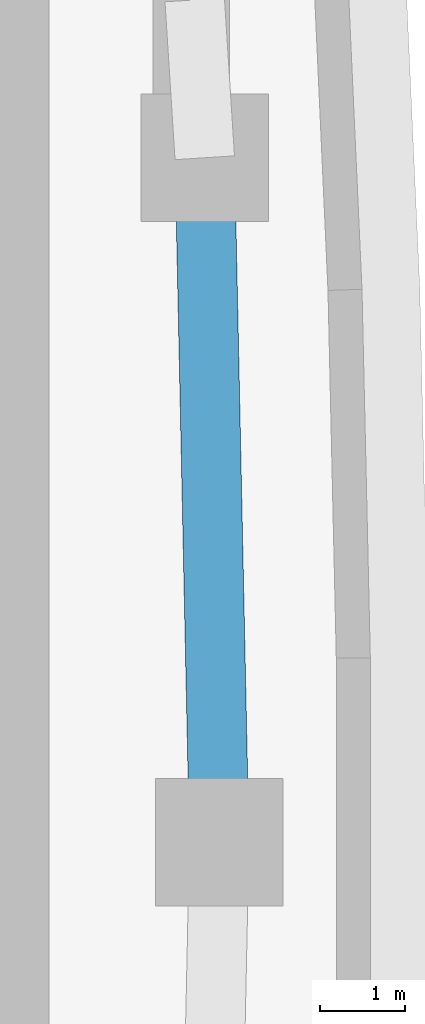
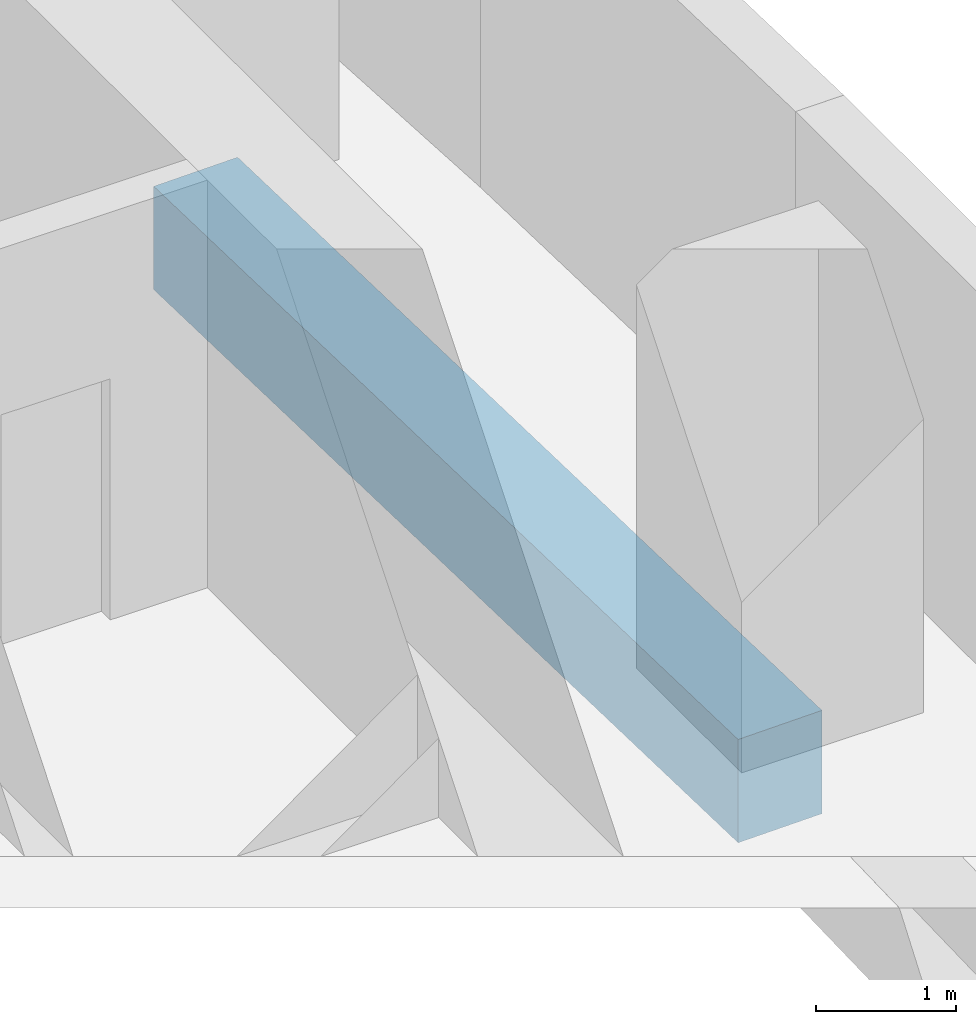
# One storey, part 4 of 17: 1 beam.
"""IFC4 building model written with IfcOpenShell, lengths in metres."""

from ifc_helpers import new_model, si_unit, direction, frame, origin, origin_2d, place, context, subcontext, project, spatial, rectangle, extrude, material, material_profile, profile_set, type_object, element, save


model = new_model("IFC4")

# Units and contexts
model_context = context("Model", 3, precision=1e-05, world=origin(), true_north=direction((0.0, 1.0)))
body_context = subcontext(model_context, "Body", "Model", "MODEL_VIEW")
ifc_project = project(units=[si_unit("LENGTHUNIT", "METRE"), si_unit("AREAUNIT", "SQUARE_METRE"), si_unit("VOLUMEUNIT", "CUBIC_METRE"), si_unit("PLANEANGLEUNIT", "RADIAN"), si_unit("MASSUNIT", "GRAM", prefix="KILO")], contexts=[model_context])

# Site, building, storey
site_placement = place(None, origin())
site = spatial("IfcSite", under=ifc_project, at=site_placement, CompositionType="ELEMENT")
building_placement = place(site_placement, origin())
building = spatial("IfcBuilding", under=site, at=building_placement, Name="Ostrand Prow Hotel Tower", CompositionType="ELEMENT")
storey_placement = place(building_placement, frame((0.0, 0.0, 140.85009765625)))
storey = spatial("IfcBuildingStorey", under=building, at=storey_placement, Name="L34", CompositionType="ELEMENT", Elevation=140.85009765625)

# Beam
ifc_material = material(Name="Concrete C70/85", Category="concrete")
ifc_material_profile = material_profile(ifc_material, rectangle(XDim=0.699951171875, YDim=0.89990234375, at=origin_2d()), Name="RC 700x900")
ifc_profile_set = profile_set([ifc_material_profile], Name="Concrete C70/85")
beam_type = type_object("IfcBeamType", Name="Edge beam 700x900 C70/85", PredefinedType="SPANDREL", material=ifc_profile_set)
beam_placement = place(storey_placement, frame((64.5, 0.0, -0.75), z_axis=(-0.021178217658, 0.999775716397, 0.0), x_axis=(-0.999775716397, -0.021178217658, 0.0)))
element("IfcBeam", 1, at=beam_placement, inside=storey, type_object=beam_type, Name="Edge beam B3-B4", PredefinedType="SPANDREL", context=body_context, shape_type="SweptSolid", body=[
    extrude(rectangle(XDim=0.699951171875, YDim=0.89990234375, at=origin_2d()), origin(), (0.0, 0.0, 1.0), 8.04638671875),
])

save(model, "model.ifc")
